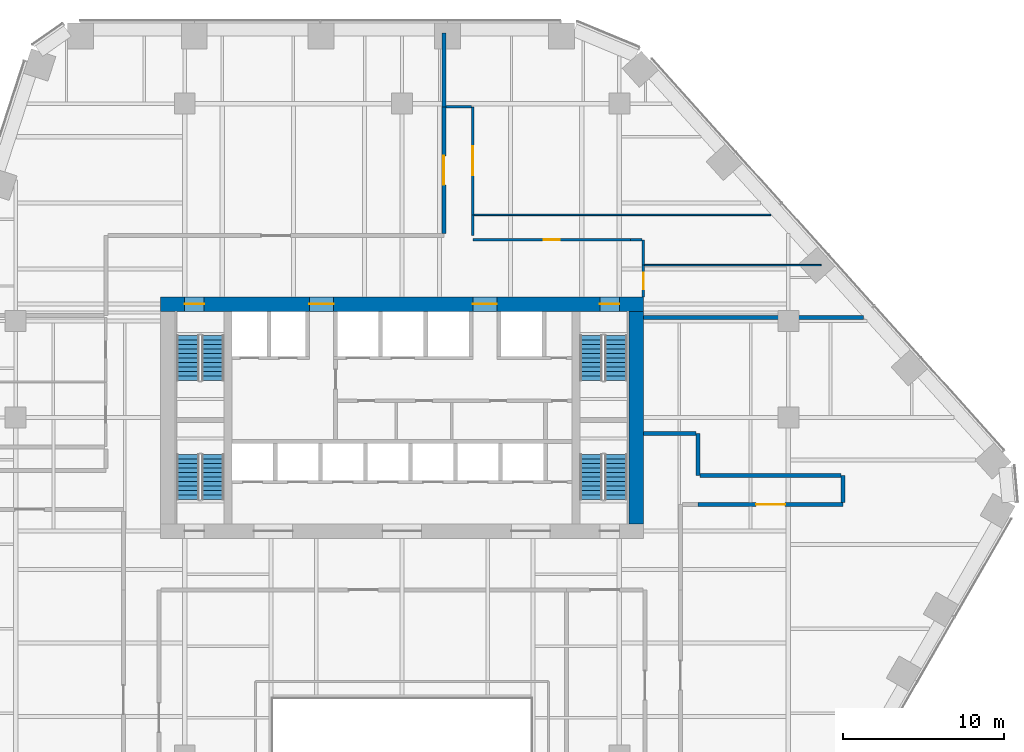
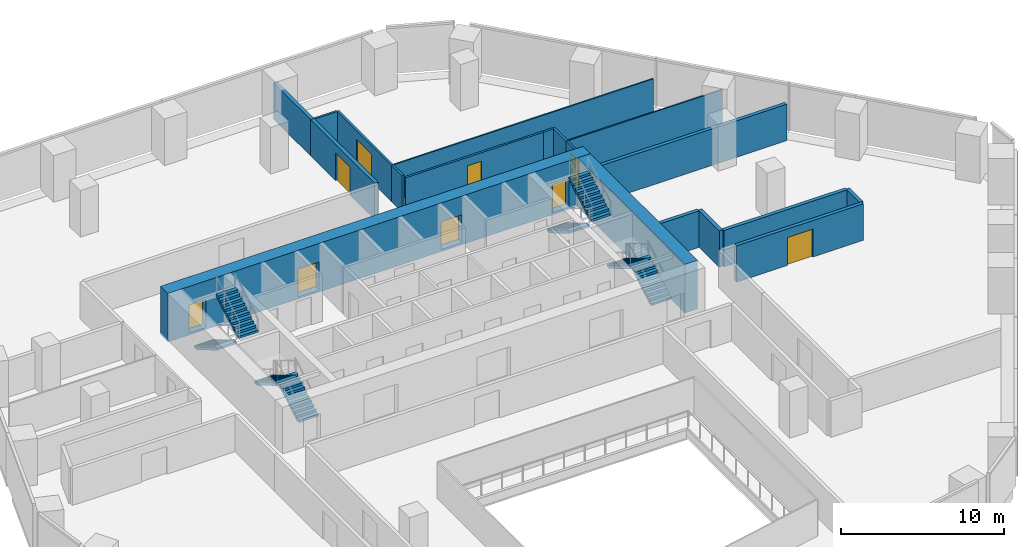
# One storey, part 16 of 19: 19 walls, 9 doors, 8 stair flights, 9 openings, 4 elements without a shape of their own.
"""IFC4 building model written with IfcOpenShell, lengths in metres."""

from ifc_helpers import new_model, si_unit, direction, frame, frame_2d, origin, place, context, subcontext, project, spatial, polyline, rectangle, outline, extrude, material, layer, layer_set, type_object, element, fill, aggregate, save


model = new_model("IFC4")

# Units and contexts
model_context = context("Model", 3, precision=1e-05, world=origin(), true_north=direction((0.0, 1.0)))
body_context = subcontext(model_context, "Body", "Model", "MODEL_VIEW")
ifc_project = project(units=[si_unit("LENGTHUNIT", "METRE"), si_unit("AREAUNIT", "SQUARE_METRE"), si_unit("VOLUMEUNIT", "CUBIC_METRE"), si_unit("PLANEANGLEUNIT", "RADIAN"), si_unit("MASSUNIT", "GRAM", prefix="KILO")], contexts=[model_context])

# Site, building, storey
site_placement = place(None, origin())
site = spatial("IfcSite", under=ifc_project, at=site_placement, CompositionType="ELEMENT")
building_placement = place(site_placement, origin())
building = spatial("IfcBuilding", under=site, at=building_placement, Name="Isthmus Gate Tower", CompositionType="ELEMENT")
storey_placement = place(building_placement, frame((0.0, 0.0, 87.949951171875)))
storey = spatial("IfcBuildingStorey", under=building, at=storey_placement, Name="L20", CompositionType="ELEMENT", Elevation=87.949951171875)

# Wall
ifc_material_1 = material(Name="Double-leaf acoustic stud wall, fire-rated", Category="gypsum")
ifc_layer_1 = layer(ifc_material_1, 0.25)
ifc_layer_set_1 = layer_set([ifc_layer_1], Name="ACOUSTIC WALL 250 60 MIN")
wall_type_1 = type_object("IfcWallType", Name="ACOUSTIC WALL 250 60 MIN", PredefinedType="PARTITIONING", material=ifc_layer_set_1)
wall_1_placement = place(storey_placement, frame((18.39990234375, 6.5, 0.0), z_axis=(0.0, 0.0, 1.0), x_axis=(0.0, -1.0, 0.0)))
element("IfcWall", 1, at=wall_1_placement, inside=storey, type_object=wall_type_1, Name="L20 Acoustic Wall 250 60 Min", PredefinedType="PARTITIONING", context=body_context, shape_type="SweptSolid", body=[
    extrude(rectangle(XDim=2.60009765625, YDim=0.25, at=frame_2d((1.300048828125, 0.0))), origin(), (0.0, 0.0, 1.0), 2.7412109375),
])

# Wall, opening, door
wall_2_placement = place(storey_placement, frame((27.39990234375, 2.10009765625, 0.0), z_axis=(0.0, 0.0, 1.0), x_axis=(-1.0, 0.0, 0.0)))
wall_2 = element("IfcWall", 2, at=wall_2_placement, inside=storey, type_object=wall_type_1, Name="L20 Acoustic Wall 250 60 Min", PredefinedType="PARTITIONING", context=body_context, shape_type="SweptSolid", body=[
    extrude(rectangle(XDim=8.997802734375, YDim=0.25, at=frame_2d((4.4990234375, 0.0))), origin(), (0.0, 0.0, 1.0), 2.7412109375),
])
opening_1_placement = place(wall_2_placement, frame((3.59912109375, 0.0, 0.0)))
opening_1 = element("IfcOpeningElement", 3, at=opening_1_placement, cuts=wall_2, Name="Opening DT-T2A-09", PredefinedType="OPENING", context=body_context, shape_type="SweptSolid", body=[
    extrude(rectangle(XDim=1.800048828125, YDim=2.10009765625, at=frame_2d((0.89990234375, 1.050048828125))), frame((0.0, 0.135009765625, 0.0), z_axis=(0.0, -1.0, 0.0), x_axis=(1.0, 0.0, 0.0)), (0.0, 0.0, 1.0), 0.27001953125),
])
ifc_material_2 = material(Name="Solid core timber door leaf, fire-rated", Category="wood")
door_type_1 = type_object("IfcDoorType", Name="FIRE DOOR ACOUSTIC ROOM 1800 X 2100 60 MIN", OperationType="DOUBLE_DOOR_DOUBLE_SWING", PredefinedType="DOOR", material=ifc_material_2)
door_1_placement = place(opening_1_placement, origin())
door_1 = element("IfcDoor", 4, at=door_1_placement, inside=storey, type_object=door_type_1, Name="L20 room door", OperationType="DOUBLE_DOOR_DOUBLE_SWING", OverallHeight=2.10009765625, OverallWidth=1.800048828125, PredefinedType="DOOR", context=body_context, shape_type="SweptSolid", body=[
    extrude(rectangle(XDim=1.800048828125, YDim=2.10009765625, at=frame_2d((0.89990234375, 1.050048828125))), frame((0.0, 0.02490234375, 0.0), z_axis=(0.0, -1.0, 0.0), x_axis=(1.0, 0.0, 0.0)), (0.0, 0.0, 1.0), 0.050048828125),
])
fill(opening_1, door_1)

# Wall
wall_3_placement = place(storey_placement, frame((27.39990234375, 3.89990234375, 0.0), z_axis=(0.0, 0.0, 1.0), x_axis=(0.0, -1.0, 0.0)))
element("IfcWall", 5, at=wall_3_placement, inside=storey, type_object=wall_type_1, Name="L20 Acoustic Wall 250 60 Min", PredefinedType="PARTITIONING", context=body_context, shape_type="SweptSolid", body=[
    extrude(rectangle(XDim=1.6748046875, YDim=0.25, at=frame_2d((0.83740234375, 0.0))), origin(), (0.0, 0.0, 1.0), 2.7412109375),
])

# Wall, opening, door
wall_4_placement = place(storey_placement, frame((2.60009765625, 18.925048828125, 0.0), z_axis=(0.0, 0.0, 1.0), x_axis=(0.0, 1.0, 0.0)))
wall_4 = element("IfcWall", 6, at=wall_4_placement, inside=storey, type_object=wall_type_1, Name="L20 Acoustic Wall 250 60 Min", PredefinedType="PARTITIONING", context=body_context, shape_type="SweptSolid", body=[
    extrude(rectangle(XDim=7.875, YDim=0.25, at=frame_2d((3.9375, 0.0))), origin(), (0.0, 0.0, 1.0), 2.7412109375),
])
opening_2_placement = place(wall_4_placement, frame((3.03759765625, 0.0, 0.0)))
opening_2 = element("IfcOpeningElement", 7, at=opening_2_placement, cuts=wall_4, Name="Opening DT-T2A-02", PredefinedType="OPENING", context=body_context, shape_type="SweptSolid", body=[
    extrude(rectangle(XDim=1.800048828125, YDim=2.10009765625, at=frame_2d((0.89990234375, 1.050048828125))), frame((0.0, 0.135009765625, 0.0), z_axis=(0.0, -1.0, 0.0), x_axis=(1.0, 0.0, 0.0)), (0.0, 0.0, 1.0), 0.27001953125),
])
door_2_placement = place(opening_2_placement, origin())
door_2 = element("IfcDoor", 8, at=door_2_placement, inside=storey, type_object=door_type_1, Name="L20 room door", OperationType="DOUBLE_DOOR_DOUBLE_SWING", OverallHeight=2.10009765625, OverallWidth=1.800048828125, PredefinedType="DOOR", context=body_context, shape_type="SweptSolid", body=[
    extrude(rectangle(XDim=1.800048828125, YDim=2.10009765625, at=frame_2d((0.89990234375, 1.050048828125))), frame((0.0, 0.02490234375, 0.0), z_axis=(0.0, -1.0, 0.0), x_axis=(1.0, 0.0, 0.0)), (0.0, 0.0, 1.0), 0.050048828125),
])
fill(opening_2, door_2)

# Walls
wall_5_placement = place(storey_placement, frame((2.597900390625, 26.800048828125, 0.0), z_axis=(0.0, 0.0, 1.0), x_axis=(0.0, 1.0, 0.0)))
element("IfcWall", 9, at=wall_5_placement, inside=storey, type_object=wall_type_1, Name="L20 Acoustic Wall 250 60 Min", PredefinedType="PARTITIONING", context=body_context, shape_type="SweptSolid", body=[
    extrude(rectangle(XDim=4.599853515625, YDim=0.25, at=frame_2d((2.2998046875, 0.0))), origin(), (0.0, 0.0, 1.0), 2.7412109375),
])
wall_6_placement = place(storey_placement, frame((15.0, 13.708984375, 0.0), z_axis=(0.0, 0.0, 1.0), x_axis=(1.0, 0.0, 0.0)))
element("IfcWall", 10, at=wall_6_placement, inside=storey, type_object=wall_type_1, Name="L20 Acoustic Wall 250 60 Min", PredefinedType="PARTITIONING", context=body_context, shape_type="SweptSolid", body=[
    extrude(rectangle(XDim=13.66796875, YDim=0.25, at=frame_2d((6.833984375, 0.0))), origin(), (0.0, 0.0, 1.0), 2.7412109375),
])
wall_7_placement = place(storey_placement, frame((15.0, 6.5, 0.0), z_axis=(0.0, 0.0, 1.0), x_axis=(1.0, 0.0, 0.0)))
element("IfcWall", 11, at=wall_7_placement, inside=storey, type_object=wall_type_1, Name="L20 Acoustic Wall 250 60 Min", PredefinedType="PARTITIONING", context=body_context, shape_type="SweptSolid", body=[
    extrude(rectangle(XDim=3.27490234375, YDim=0.25, at=frame_2d((1.637451171875, 0.0))), origin(), (0.0, 0.0, 1.0), 2.7412109375),
])
wall_8_placement = place(storey_placement, frame((18.52490234375, 3.89990234375, 0.0), z_axis=(0.0, 0.0, 1.0), x_axis=(1.0, 0.0, 0.0)))
element("IfcWall", 12, at=wall_8_placement, inside=storey, type_object=wall_type_1, Name="L20 Acoustic Wall 250 60 Min", PredefinedType="PARTITIONING", context=body_context, shape_type="SweptSolid", body=[
    extrude(rectangle(XDim=8.75, YDim=0.25, at=frame_2d((4.375, 0.0))), origin(), (0.0, 0.0, 1.0), 2.7412109375),
])

# Wall, opening, door
ifc_material_3 = material(Name="Gypsum board on steel studs, fire-rated", Category="steel")
ifc_layer_2 = layer(ifc_material_3, 0.14990234375)
ifc_layer_set_2 = layer_set([ifc_layer_2], Name="CORRIDOR WALL 150 60 MIN")
wall_type_2 = type_object("IfcWallType", Name="CORRIDOR WALL 150 60 MIN", PredefinedType="PARTITIONING", material=ifc_layer_set_2)
wall_9_placement = place(storey_placement, frame((4.39990234375, 26.800048828125, 0.0), z_axis=(0.0, 0.0, 1.0), x_axis=(0.0, -1.0, 0.0)))
wall_9 = element("IfcWall", 13, at=wall_9_placement, inside=storey, type_object=wall_type_2, Name="L20 Corridor Wall 150 60 Min", PredefinedType="PARTITIONING", context=body_context, shape_type="SweptSolid", body=[
    extrude(rectangle(XDim=6.7080078125, YDim=0.14990234375, at=frame_2d((3.35400390625, 0.0))), origin(), (0.0, 0.0, 1.0), 2.7412109375),
])
opening_3_placement = place(wall_9_placement, frame((2.4541015625, 0.0, 0.0)))
opening_3 = element("IfcOpeningElement", 14, at=opening_3_placement, cuts=wall_9, Name="Opening DT-T2A-03", PredefinedType="OPENING", context=body_context, shape_type="SweptSolid", body=[
    extrude(rectangle(XDim=1.800048828125, YDim=2.10009765625, at=frame_2d((0.89990234375, 1.050048828125))), frame((0.0, 0.0849609375, 0.0), z_axis=(0.0, -1.0, 0.0), x_axis=(1.0, 0.0, 0.0)), (0.0, 0.0, 1.0), 0.169921875),
])
ifc_material_4 = material(Name="Solid core timber door leaf, fire-rated", Category="wood")
door_type_2 = type_object("IfcDoorType", Name="FIRE DOOR ROOM 1800 X 2100 60 MIN", OperationType="DOUBLE_DOOR_DOUBLE_SWING", PredefinedType="DOOR", material=ifc_material_4)
door_3_placement = place(opening_3_placement, origin())
door_3 = element("IfcDoor", 15, at=door_3_placement, inside=storey, type_object=door_type_2, Name="L20 room door", OperationType="DOUBLE_DOOR_DOUBLE_SWING", OverallHeight=2.10009765625, OverallWidth=1.800048828125, PredefinedType="DOOR", context=body_context, shape_type="SweptSolid", body=[
    extrude(rectangle(XDim=1.800048828125, YDim=2.10009765625, at=frame_2d((0.89990234375, 1.050048828125))), frame((0.0, 0.02490234375, 0.0), z_axis=(0.0, -1.0, 0.0), x_axis=(1.0, 0.0, 0.0)), (0.0, 0.0, 1.0), 0.050048828125),
])
fill(opening_3, door_3)

# Walls
wall_10_placement = place(storey_placement, frame((4.39990234375, 20.092041015625, 0.0), z_axis=(0.0, 0.0, 1.0), x_axis=(0.0, -1.0, 0.0)))
element("IfcWall", 16, at=wall_10_placement, inside=storey, type_object=wall_type_2, Name="L20 Corridor Wall 150 60 Min", PredefinedType="PARTITIONING", context=body_context, shape_type="SweptSolid", body=[
    extrude(rectangle(XDim=1.2900390625, YDim=0.14990234375, at=frame_2d((0.64501953125, 0.0))), origin(), (0.0, 0.0, 1.0), 2.7412109375),
])
wall_11_placement = place(storey_placement, frame((15.0, 18.5400390625, 0.0), z_axis=(0.0, 0.0, 1.0), x_axis=(0.0, -1.0, 0.0)))
element("IfcWall", 17, at=wall_11_placement, inside=storey, type_object=wall_type_2, Name="L20 Corridor Wall 150 60 Min", PredefinedType="PARTITIONING", context=body_context, shape_type="SweptSolid", body=[
    extrude(rectangle(XDim=1.572998046875, YDim=0.14990234375, at=frame_2d((0.78662109375, 0.0))), origin(), (0.0, 0.0, 1.0), 2.7412109375),
])

# Wall, opening, door
wall_12_placement = place(storey_placement, frame((15.0, 16.967041015625, 0.0), z_axis=(0.0, 0.0, 1.0), x_axis=(0.0, -1.0, 0.0)))
wall_12 = element("IfcWall", 18, at=wall_12_placement, inside=storey, type_object=wall_type_2, Name="L20 Corridor Wall 150 60 Min", PredefinedType="PARTITIONING", context=body_context, shape_type="SweptSolid", body=[
    extrude(rectangle(XDim=1.967041015625, YDim=0.14990234375, at=frame_2d((0.9833984375, 0.0))), origin(), (0.0, 0.0, 1.0), 2.7412109375),
])
opening_4_placement = place(wall_12_placement, frame((0.4833984375, 0.0, 0.0)))
opening_4 = element("IfcOpeningElement", 19, at=opening_4_placement, cuts=wall_12, Name="Opening DT-T2A-05", PredefinedType="OPENING", context=body_context, shape_type="SweptSolid", body=[
    extrude(rectangle(XDim=1.0, YDim=2.10009765625, at=frame_2d((0.5, 1.050048828125))), frame((0.0, 0.0849609375, 0.0), z_axis=(0.0, -1.0, 0.0), x_axis=(1.0, 0.0, 0.0)), (0.0, 0.0, 1.0), 0.169921875),
])
ifc_material_5 = material(Name="Solid core timber door leaf, fire-rated", Category="wood")
door_type_3 = type_object("IfcDoorType", Name="FIRE DOOR ROOM 1000 X 2100 60 MIN", OperationType="SINGLE_SWING_LEFT", PredefinedType="DOOR", material=ifc_material_5)
door_4_placement = place(opening_4_placement, origin())
door_4 = element("IfcDoor", 20, at=door_4_placement, inside=storey, type_object=door_type_3, Name="L20 room door", OperationType="SINGLE_SWING_RIGHT", OverallHeight=2.10009765625, OverallWidth=1.0, PredefinedType="DOOR", context=body_context, shape_type="SweptSolid", body=[
    extrude(rectangle(XDim=1.0, YDim=2.10009765625, at=frame_2d((0.5, 1.050048828125))), frame((0.0, 0.02490234375, 0.0), z_axis=(0.0, -1.0, 0.0), x_axis=(1.0, 0.0, 0.0)), (0.0, 0.0, 1.0), 0.050048828125),
])
fill(opening_4, door_4)

# Wall
wall_13_placement = place(storey_placement, frame((2.72509765625, 26.800048828125, 0.0), z_axis=(0.0, 0.0, 1.0), x_axis=(1.0, 0.0, 0.0)))
element("IfcWall", 21, at=wall_13_placement, inside=storey, type_object=wall_type_2, Name="L20 Corridor Wall 150 60 Min", PredefinedType="PARTITIONING", context=body_context, shape_type="SweptSolid", body=[
    extrude(rectangle(XDim=1.599853515625, YDim=0.14990234375, at=frame_2d((0.7998046875, 0.0))), origin(), (0.0, 0.0, 1.0), 2.7412109375),
])

# Wall, opening, door
wall_14_placement = place(storey_placement, frame((14.199951171875, 18.5419921875, 0.0), z_axis=(0.0, 0.0, 1.0), x_axis=(-0.999999980148, -0.000199257761, 0.0)))
wall_14 = element("IfcWall", 22, at=wall_14_placement, inside=storey, type_object=wall_type_2, Name="L20 Corridor Wall 150 60 Min", PredefinedType="PARTITIONING", context=body_context, shape_type="SweptSolid", body=[
    extrude(rectangle(XDim=9.802001953125, YDim=0.14990234375, at=frame_2d((4.90087890625, 0.0))), origin(), (0.0, 0.0, 1.0), 2.7412109375),
])
opening_5_placement = place(wall_14_placement, frame((4.40087890625, 0.0, 0.0)))
opening_5 = element("IfcOpeningElement", 23, at=opening_5_placement, cuts=wall_14, Name="Opening DT-T2A-04", PredefinedType="OPENING", context=body_context, shape_type="SweptSolid", body=[
    extrude(rectangle(XDim=1.0, YDim=2.10009765625, at=frame_2d((0.5, 1.050048828125))), frame((0.0, 0.0849609375, 0.0), z_axis=(0.0, -1.0, 0.0), x_axis=(1.0, 0.0, 0.0)), (0.0, 0.0, 1.0), 0.169921875),
])
door_5_placement = place(opening_5_placement, origin())
door_5 = element("IfcDoor", 24, at=door_5_placement, inside=storey, type_object=door_type_3, Name="L20 room door", OperationType="SINGLE_SWING_RIGHT", OverallHeight=2.10009765625, OverallWidth=1.0, PredefinedType="DOOR", context=body_context, shape_type="SweptSolid", body=[
    extrude(rectangle(XDim=1.0, YDim=2.10009765625, at=frame_2d((0.5, 1.050048828125))), frame((0.0, 0.02490234375, 0.0), z_axis=(0.0, -1.0, 0.0), x_axis=(1.0, 0.0, 0.0)), (0.0, 0.0, 1.0), 0.050048828125),
])
fill(opening_5, door_5)

# Wall
wall_15_placement = place(storey_placement, frame((14.199951171875, 18.5400390625, 0.0), z_axis=(0.0, 0.0, 1.0), x_axis=(1.0, 0.0, 0.0)))
element("IfcWall", 25, at=wall_15_placement, inside=storey, type_object=wall_type_2, Name="L20 Corridor Wall 150 60 Min", PredefinedType="PARTITIONING", context=body_context, shape_type="SweptSolid", body=[
    extrude(rectangle(XDim=0.72509765625, YDim=0.14990234375, at=frame_2d((0.362548828125, 0.0))), origin(), (0.0, 0.0, 1.0), 2.7412109375),
])

# Wall, openings, doors
ifc_material_6 = material(Name="Concrete f'c 70 MPa", Category="concrete")
ifc_layer_3 = layer(ifc_material_6, 0.89990234375)
ifc_layer_set_3 = layer_set([ifc_layer_3], Name="RC CORE WALL 900 F'C 70")
wall_type_3 = type_object("IfcWallType", Name="RC CORE WALL 900 F'C 70", PredefinedType="SOLIDWALL", material=ifc_layer_set_3)
wall_16_placement = place(storey_placement, frame((-15.0, 14.550048828125, -0.14990234375), z_axis=(0.0, 0.0, 1.0), x_axis=(1.0, 0.0, 0.0)))
wall_16 = element("IfcWall", 26, at=wall_16_placement, inside=storey, type_object=wall_type_3, Name="str-corewall-L20-N", PredefinedType="SOLIDWALL", context=body_context, shape_type="SweptSolid", body=[
    extrude(rectangle(XDim=30.0, YDim=0.89990234375, at=frame_2d((15.0, 0.0))), origin(), (0.0, 0.0, 1.0), 3.64990234375),
])
opening_6_placement = place(wall_16_placement, frame((9.25, 0.0, 0.14990234375)))
opening_6 = element("IfcOpeningElement", 27, at=opening_6_placement, cuts=wall_16, Name="Opening DC-A05-11", PredefinedType="OPENING", context=body_context, shape_type="SweptSolid", body=[
    extrude(rectangle(XDim=1.5, YDim=2.10009765625, at=frame_2d((0.75, 1.050048828125))), frame((0.0, 0.4599609375, 0.0), z_axis=(0.0, -1.0, 0.0), x_axis=(1.0, 0.0, 0.0)), (0.0, 0.0, 1.0), 0.919921875),
])
opening_7_placement = place(wall_16_placement, frame((19.39990234375, 0.0, 0.14990234375)))
opening_7 = element("IfcOpeningElement", 28, at=opening_7_placement, cuts=wall_16, Name="Opening DC-A05-12", PredefinedType="OPENING", context=body_context, shape_type="SweptSolid", body=[
    extrude(rectangle(XDim=1.5, YDim=2.10009765625, at=frame_2d((0.75, 1.050048828125))), frame((0.0, 0.4599609375, 0.0), z_axis=(0.0, -1.0, 0.0), x_axis=(1.0, 0.0, 0.0)), (0.0, 0.0, 1.0), 0.919921875),
])
opening_8_placement = place(wall_16_placement, frame((1.5, 0.0, 0.14990234375)))
opening_8 = element("IfcOpeningElement", 29, at=opening_8_placement, cuts=wall_16, Name="Opening DC-A05-13", PredefinedType="OPENING", context=body_context, shape_type="SweptSolid", body=[
    extrude(rectangle(XDim=1.199951171875, YDim=2.10009765625, at=frame_2d((0.60009765625, 1.050048828125))), frame((0.0, 0.4599609375, 0.0), z_axis=(0.0, -1.0, 0.0), x_axis=(1.0, 0.0, 0.0)), (0.0, 0.0, 1.0), 0.919921875),
])
opening_9_placement = place(wall_16_placement, frame((27.300048828125, 0.0, 0.14990234375)))
opening_9 = element("IfcOpeningElement", 30, at=opening_9_placement, cuts=wall_16, Name="Opening DC-A05-14", PredefinedType="OPENING", context=body_context, shape_type="SweptSolid", body=[
    extrude(rectangle(XDim=1.199951171875, YDim=2.10009765625, at=frame_2d((0.60009765625, 1.050048828125))), frame((0.0, 0.4599609375, 0.0), z_axis=(0.0, -1.0, 0.0), x_axis=(1.0, 0.0, 0.0)), (0.0, 0.0, 1.0), 0.919921875),
])
ifc_material_7 = material(Name="Steel door leaf, fire-rated", Category="steel")
door_type_4 = type_object("IfcDoorType", Name="LOBBY FIRE DOOR 1500 X 2100 60 MIN", OperationType="DOUBLE_DOOR_SINGLE_SWING", PredefinedType="DOOR", material=ifc_material_7)
door_6_placement = place(opening_7_placement, origin())
door_6 = element("IfcDoor", 31, at=door_6_placement, inside=storey, type_object=door_type_4, Name="Lobby Door PN-E", OperationType="DOUBLE_DOOR_SINGLE_SWING", OverallHeight=2.10009765625, OverallWidth=1.5, PredefinedType="DOOR", context=body_context, shape_type="SweptSolid", body=[
    extrude(rectangle(XDim=1.5, YDim=2.10009765625, at=frame_2d((0.75, 1.050048828125))), frame((0.0, 0.02490234375, 0.0), z_axis=(0.0, -1.0, 0.0), x_axis=(1.0, 0.0, 0.0)), (0.0, 0.0, 1.0), 0.050048828125),
])
fill(opening_7, door_6)
ifc_material_8 = material(Name="Steel door leaf, fire-rated", Category="steel")
door_type_5 = type_object("IfcDoorType", Name="LOBBY FIRE DOOR 1500 X 2100 90 MIN", OperationType="DOUBLE_DOOR_SINGLE_SWING", PredefinedType="DOOR", material=ifc_material_8)
door_7_placement = place(opening_6_placement, origin())
door_7 = element("IfcDoor", 32, at=door_7_placement, inside=storey, type_object=door_type_5, Name="Lobby Door PN-W", OperationType="DOUBLE_DOOR_SINGLE_SWING", OverallHeight=2.10009765625, OverallWidth=1.5, PredefinedType="DOOR", context=body_context, shape_type="SweptSolid", body=[
    extrude(rectangle(XDim=1.5, YDim=2.10009765625, at=frame_2d((0.75, 1.050048828125))), frame((0.0, 0.02490234375, 0.0), z_axis=(0.0, -1.0, 0.0), x_axis=(1.0, 0.0, 0.0)), (0.0, 0.0, 1.0), 0.050048828125),
])
fill(opening_6, door_7)
ifc_material_9 = material(Name="Steel door leaf, fire-rated", Category="steel")
door_type_6 = type_object("IfcDoorType", Name="STAIR FIRE DOOR 1200 X 2100 90 MIN", OperationType="SINGLE_SWING_LEFT", PredefinedType="DOOR", material=ifc_material_9)
door_8_placement = place(opening_8_placement, origin())
door_8 = element("IfcDoor", 33, at=door_8_placement, inside=storey, type_object=door_type_6, Name="Exit Stair 1 Door", OperationType="SINGLE_SWING_RIGHT", OverallHeight=2.10009765625, OverallWidth=1.199951171875, PredefinedType="DOOR", context=body_context, shape_type="SweptSolid", body=[
    extrude(rectangle(XDim=1.199951171875, YDim=2.10009765625, at=frame_2d((0.60009765625, 1.050048828125))), frame((0.0, 0.02490234375, 0.0), z_axis=(0.0, -1.0, 0.0), x_axis=(1.0, 0.0, 0.0)), (0.0, 0.0, 1.0), 0.050048828125),
])
fill(opening_8, door_8)
door_9_placement = place(opening_9_placement, origin())
door_9 = element("IfcDoor", 34, at=door_9_placement, inside=storey, type_object=door_type_6, Name="Exit Stair 2 Door", OperationType="SINGLE_SWING_LEFT", OverallHeight=2.10009765625, OverallWidth=1.199951171875, PredefinedType="DOOR", context=body_context, shape_type="SweptSolid", body=[
    extrude(rectangle(XDim=1.199951171875, YDim=2.10009765625, at=frame_2d((0.60009765625, 1.050048828125))), frame((0.0, 0.02490234375, 0.0), z_axis=(0.0, -1.0, 0.0), x_axis=(1.0, 0.0, 0.0)), (0.0, 0.0, 1.0), 0.050048828125),
])
fill(opening_9, door_9)

# Walls
wall_17_placement = place(storey_placement, frame((14.550048828125, 0.89990234375, -0.14990234375), z_axis=(0.0, 0.0, 1.0), x_axis=(0.0, 1.0, 0.0)))
element("IfcWall", 35, at=wall_17_placement, inside=storey, type_object=wall_type_3, Name="str-corewall-L20-E", PredefinedType="SOLIDWALL", context=body_context, shape_type="SweptSolid", body=[
    extrude(rectangle(XDim=13.2001953125, YDim=0.89990234375, at=frame_2d((6.60009765625, 0.0))), origin(), (0.0, 0.0, 1.0), 3.64990234375),
])
ifc_material_10 = material(Name="Gypsum board on steel studs, fire-rated", Category="steel")
ifc_layer_4 = layer(ifc_material_10, 0.10009765625)
ifc_layer_set_4 = layer_set([ifc_layer_4], Name="ROOM PARTITION 100 30 MIN")
wall_type_4 = type_object("IfcWallType", Name="ROOM PARTITION 100 30 MIN", PredefinedType="PARTITIONING", material=ifc_layer_set_4)
wall_18_placement = place(storey_placement, frame((4.47509765625, 20.092041015625, 0.0), z_axis=(0.0, 0.0, 1.0), x_axis=(1.0, 0.0, 0.0)))
element("IfcWall", 36, at=wall_18_placement, inside=storey, type_object=wall_type_4, Name="L20 Room Partition 100 30 Min", PredefinedType="PARTITIONING", context=body_context, shape_type="SweptSolid", body=[
    extrude(rectangle(XDim=18.44580078125, YDim=0.10009765625, at=frame_2d((9.222900390625, 0.0))), origin(), (0.0, 0.0, 1.0), 2.7412109375),
])
wall_19_placement = place(storey_placement, frame((15.074951171875, 16.967041015625, 0.0), z_axis=(0.0, 0.0, 1.0), x_axis=(1.0, 0.0, 0.0)))
element("IfcWall", 37, at=wall_19_placement, inside=storey, type_object=wall_type_4, Name="L20 Room Partition 100 30 Min", PredefinedType="PARTITIONING", context=body_context, shape_type="SweptSolid", body=[
    extrude(rectangle(XDim=10.9599609375, YDim=0.10009765625, at=frame_2d((5.47998046875, 0.0))), origin(), (0.0, 0.0, 1.0), 2.7412109375),
])

# Stair, stair flights
ifc_material_11 = material(Name="Concrete f'c 40 MPa", Category="concrete")
stair_type = type_object("IfcStairType", Name="CORE STAIR 22 RISERS", PredefinedType="HALF_TURN_STAIR", material=ifc_material_11)
stair_1_placement = place(storey_placement, origin())
stair_1 = element("IfcStair", 38, at=stair_1_placement, inside=storey, type_object=stair_type, Name="L20 Exit Stair 1", PredefinedType="HALF_TURN_STAIR")
ifc_material_12 = material(Name="Concrete f'c 40 MPa", Category="concrete")
stair_flight_type = type_object("IfcStairFlightType", Name="STAIR FLIGHT RC 1400", PredefinedType="STRAIGHT", material=ifc_material_12)
stair_flight_1_placement = place(storey_placement, frame((-13.300048828125, 12.60009765625, 0.0), z_axis=(0.0, 0.0, 1.0), x_axis=(0.0, -1.0, 0.0)))
stair_flight_1 = element("IfcStairFlight", 39, at=stair_flight_1_placement, type_object=stair_flight_type, Name="ST1 flight 1", NumberOfRisers=11, NumberOfTreads=10, PredefinedType="STRAIGHT", RiserHeight=0.165909091, TreadLength=0.28, context=body_context, shape_type="SweptSolid", body=[
    extrude(outline(polyline([(0.0, 0.0), (0.0, 0.166015625), (0.280029296875, 0.166015625), (0.280029296875, 0.331787109375), (0.56005859375, 0.331787109375), (0.56005859375, 0.497802734375), (0.840087890625, 0.497802734375), (0.840087890625, 0.66357421875), (1.1201171875, 0.66357421875), (1.1201171875, 0.82958984375), (1.39990234375, 0.82958984375), (1.39990234375, 0.995361328125), (1.679931640625, 0.995361328125), (1.679931640625, 1.161376953125), (1.9599609375, 1.161376953125), (1.9599609375, 1.327392578125), (2.239990234375, 1.327392578125), (2.239990234375, 1.4931640625), (2.52001953125, 1.4931640625), (2.52001953125, 1.6591796875), (2.800048828125, 1.6591796875), (2.800048828125, 1.824951171875), (2.800048828125, 1.48486328125), (0.2939453125, 0.0), (0.0, 0.0)])), frame((0.0, 0.699951171875, 0.0), z_axis=(0.0, -1.0, 0.0), x_axis=(1.0, 0.0, 0.0)), (0.0, 0.0, 1.0), 1.39990234375),
])
stair_flight_2_placement = place(storey_placement, frame((-11.75, 9.800048828125, 1.824951171875), z_axis=(0.0, 0.0, 1.0), x_axis=(0.0, 1.0, 0.0)))
stair_flight_2 = element("IfcStairFlight", 40, at=stair_flight_2_placement, type_object=stair_flight_type, Name="ST1 flight 2", NumberOfRisers=11, NumberOfTreads=10, PredefinedType="STRAIGHT", RiserHeight=0.165909091, TreadLength=0.28, context=body_context, shape_type="SweptSolid", body=[
    extrude(outline(polyline([(0.0, 0.0), (0.0, 0.166015625), (0.280029296875, 0.166015625), (0.280029296875, 0.331787109375), (0.56005859375, 0.331787109375), (0.56005859375, 0.497802734375), (0.840087890625, 0.497802734375), (0.840087890625, 0.66357421875), (1.1201171875, 0.66357421875), (1.1201171875, 0.82958984375), (1.39990234375, 0.82958984375), (1.39990234375, 0.995361328125), (1.679931640625, 0.995361328125), (1.679931640625, 1.161376953125), (1.9599609375, 1.161376953125), (1.9599609375, 1.327392578125), (2.239990234375, 1.327392578125), (2.239990234375, 1.4931640625), (2.52001953125, 1.4931640625), (2.52001953125, 1.6591796875), (2.800048828125, 1.6591796875), (2.800048828125, 1.824951171875), (2.800048828125, 1.48486328125), (0.2939453125, 0.0), (0.0, 0.0)])), frame((0.0, 0.699951171875, 0.0), z_axis=(0.0, -1.0, 0.0), x_axis=(1.0, 0.0, 0.0)), (0.0, 0.0, 1.0), 1.39990234375),
])
aggregate(stair_1, [stair_flight_1, stair_flight_2])

stair_2_placement = place(storey_placement, origin())
stair_2 = element("IfcStair", 41, at=stair_2_placement, inside=storey, type_object=stair_type, Name="L20 Exit Stair 2", PredefinedType="HALF_TURN_STAIR")
stair_flight_3_placement = place(storey_placement, frame((11.75, 12.60009765625, 0.0), z_axis=(0.0, 0.0, 1.0), x_axis=(0.0, -1.0, 0.0)))
stair_flight_3 = element("IfcStairFlight", 42, at=stair_flight_3_placement, type_object=stair_flight_type, Name="ST2 flight 1", NumberOfRisers=11, NumberOfTreads=10, PredefinedType="STRAIGHT", RiserHeight=0.165909091, TreadLength=0.28, context=body_context, shape_type="SweptSolid", body=[
    extrude(outline(polyline([(0.0, 0.0), (0.0, 0.166015625), (0.280029296875, 0.166015625), (0.280029296875, 0.331787109375), (0.56005859375, 0.331787109375), (0.56005859375, 0.497802734375), (0.840087890625, 0.497802734375), (0.840087890625, 0.66357421875), (1.1201171875, 0.66357421875), (1.1201171875, 0.82958984375), (1.39990234375, 0.82958984375), (1.39990234375, 0.995361328125), (1.679931640625, 0.995361328125), (1.679931640625, 1.161376953125), (1.9599609375, 1.161376953125), (1.9599609375, 1.327392578125), (2.239990234375, 1.327392578125), (2.239990234375, 1.4931640625), (2.52001953125, 1.4931640625), (2.52001953125, 1.6591796875), (2.800048828125, 1.6591796875), (2.800048828125, 1.824951171875), (2.800048828125, 1.48486328125), (0.2939453125, 0.0), (0.0, 0.0)])), frame((0.0, 0.699951171875, 0.0), z_axis=(0.0, -1.0, 0.0), x_axis=(1.0, 0.0, 0.0)), (0.0, 0.0, 1.0), 1.39990234375),
])
stair_flight_4_placement = place(storey_placement, frame((13.300048828125, 9.800048828125, 1.824951171875), z_axis=(0.0, 0.0, 1.0), x_axis=(0.0, 1.0, 0.0)))
stair_flight_4 = element("IfcStairFlight", 43, at=stair_flight_4_placement, type_object=stair_flight_type, Name="ST2 flight 2", NumberOfRisers=11, NumberOfTreads=10, PredefinedType="STRAIGHT", RiserHeight=0.165909091, TreadLength=0.28, context=body_context, shape_type="SweptSolid", body=[
    extrude(outline(polyline([(0.0, 0.0), (0.0, 0.166015625), (0.280029296875, 0.166015625), (0.280029296875, 0.331787109375), (0.56005859375, 0.331787109375), (0.56005859375, 0.497802734375), (0.840087890625, 0.497802734375), (0.840087890625, 0.66357421875), (1.1201171875, 0.66357421875), (1.1201171875, 0.82958984375), (1.39990234375, 0.82958984375), (1.39990234375, 0.995361328125), (1.679931640625, 0.995361328125), (1.679931640625, 1.161376953125), (1.9599609375, 1.161376953125), (1.9599609375, 1.327392578125), (2.239990234375, 1.327392578125), (2.239990234375, 1.4931640625), (2.52001953125, 1.4931640625), (2.52001953125, 1.6591796875), (2.800048828125, 1.6591796875), (2.800048828125, 1.824951171875), (2.800048828125, 1.48486328125), (0.2939453125, 0.0), (0.0, 0.0)])), frame((0.0, 0.699951171875, 0.0), z_axis=(0.0, -1.0, 0.0), x_axis=(1.0, 0.0, 0.0)), (0.0, 0.0, 1.0), 1.39990234375),
])
aggregate(stair_2, [stair_flight_3, stair_flight_4])

stair_3_placement = place(storey_placement, origin())
stair_3 = element("IfcStair", 44, at=stair_3_placement, inside=storey, type_object=stair_type, Name="L20 Exit Stair 7", PredefinedType="HALF_TURN_STAIR")
stair_flight_5_placement = place(storey_placement, frame((-11.75, 2.39990234375, 0.0), z_axis=(0.0, 0.0, 1.0), x_axis=(0.0, 1.0, 0.0)))
stair_flight_5 = element("IfcStairFlight", 45, at=stair_flight_5_placement, type_object=stair_flight_type, Name="ST7 flight 1", NumberOfRisers=11, NumberOfTreads=10, PredefinedType="STRAIGHT", RiserHeight=0.165909091, TreadLength=0.28, context=body_context, shape_type="SweptSolid", body=[
    extrude(outline(polyline([(0.0, 0.0), (0.0, 0.166015625), (0.280029296875, 0.166015625), (0.280029296875, 0.331787109375), (0.56005859375, 0.331787109375), (0.56005859375, 0.497802734375), (0.840087890625, 0.497802734375), (0.840087890625, 0.66357421875), (1.1201171875, 0.66357421875), (1.1201171875, 0.82958984375), (1.39990234375, 0.82958984375), (1.39990234375, 0.995361328125), (1.679931640625, 0.995361328125), (1.679931640625, 1.161376953125), (1.9599609375, 1.161376953125), (1.9599609375, 1.327392578125), (2.239990234375, 1.327392578125), (2.239990234375, 1.4931640625), (2.52001953125, 1.4931640625), (2.52001953125, 1.6591796875), (2.800048828125, 1.6591796875), (2.800048828125, 1.824951171875), (2.800048828125, 1.48486328125), (0.2939453125, 0.0), (0.0, 0.0)])), frame((0.0, 0.699951171875, 0.0), z_axis=(0.0, -1.0, 0.0), x_axis=(1.0, 0.0, 0.0)), (0.0, 0.0, 1.0), 1.39990234375),
])
stair_flight_6_placement = place(storey_placement, frame((-13.300048828125, 5.199951171875, 1.824951171875), z_axis=(0.0, 0.0, 1.0), x_axis=(0.0, -1.0, 0.0)))
stair_flight_6 = element("IfcStairFlight", 46, at=stair_flight_6_placement, type_object=stair_flight_type, Name="ST7 flight 2", NumberOfRisers=11, NumberOfTreads=10, PredefinedType="STRAIGHT", RiserHeight=0.165909091, TreadLength=0.28, context=body_context, shape_type="SweptSolid", body=[
    extrude(outline(polyline([(0.0, 0.0), (0.0, 0.166015625), (0.280029296875, 0.166015625), (0.280029296875, 0.331787109375), (0.56005859375, 0.331787109375), (0.56005859375, 0.497802734375), (0.840087890625, 0.497802734375), (0.840087890625, 0.66357421875), (1.1201171875, 0.66357421875), (1.1201171875, 0.82958984375), (1.39990234375, 0.82958984375), (1.39990234375, 0.995361328125), (1.679931640625, 0.995361328125), (1.679931640625, 1.161376953125), (1.9599609375, 1.161376953125), (1.9599609375, 1.327392578125), (2.239990234375, 1.327392578125), (2.239990234375, 1.4931640625), (2.52001953125, 1.4931640625), (2.52001953125, 1.6591796875), (2.800048828125, 1.6591796875), (2.800048828125, 1.824951171875), (2.800048828125, 1.48486328125), (0.2939453125, 0.0), (0.0, 0.0)])), frame((0.0, 0.699951171875, 0.0), z_axis=(0.0, -1.0, 0.0), x_axis=(1.0, 0.0, 0.0)), (0.0, 0.0, 1.0), 1.39990234375),
])
aggregate(stair_3, [stair_flight_5, stair_flight_6])

stair_4_placement = place(storey_placement, origin())
stair_4 = element("IfcStair", 47, at=stair_4_placement, inside=storey, type_object=stair_type, Name="L20 Exit Stair 8", PredefinedType="HALF_TURN_STAIR")
stair_flight_7_placement = place(storey_placement, frame((13.300048828125, 2.39990234375, 0.0), z_axis=(0.0, 0.0, 1.0), x_axis=(0.0, 1.0, 0.0)))
stair_flight_7 = element("IfcStairFlight", 48, at=stair_flight_7_placement, type_object=stair_flight_type, Name="ST8 flight 1", NumberOfRisers=11, NumberOfTreads=10, PredefinedType="STRAIGHT", RiserHeight=0.165909091, TreadLength=0.28, context=body_context, shape_type="SweptSolid", body=[
    extrude(outline(polyline([(0.0, 0.0), (0.0, 0.166015625), (0.280029296875, 0.166015625), (0.280029296875, 0.331787109375), (0.56005859375, 0.331787109375), (0.56005859375, 0.497802734375), (0.840087890625, 0.497802734375), (0.840087890625, 0.66357421875), (1.1201171875, 0.66357421875), (1.1201171875, 0.82958984375), (1.39990234375, 0.82958984375), (1.39990234375, 0.995361328125), (1.679931640625, 0.995361328125), (1.679931640625, 1.161376953125), (1.9599609375, 1.161376953125), (1.9599609375, 1.327392578125), (2.239990234375, 1.327392578125), (2.239990234375, 1.4931640625), (2.52001953125, 1.4931640625), (2.52001953125, 1.6591796875), (2.800048828125, 1.6591796875), (2.800048828125, 1.824951171875), (2.800048828125, 1.48486328125), (0.2939453125, 0.0), (0.0, 0.0)])), frame((0.0, 0.699951171875, 0.0), z_axis=(0.0, -1.0, 0.0), x_axis=(1.0, 0.0, 0.0)), (0.0, 0.0, 1.0), 1.39990234375),
])
stair_flight_8_placement = place(storey_placement, frame((11.75, 5.199951171875, 1.824951171875), z_axis=(0.0, 0.0, 1.0), x_axis=(0.0, -1.0, 0.0)))
stair_flight_8 = element("IfcStairFlight", 49, at=stair_flight_8_placement, type_object=stair_flight_type, Name="ST8 flight 2", NumberOfRisers=11, NumberOfTreads=10, PredefinedType="STRAIGHT", RiserHeight=0.165909091, TreadLength=0.28, context=body_context, shape_type="SweptSolid", body=[
    extrude(outline(polyline([(0.0, 0.0), (0.0, 0.166015625), (0.280029296875, 0.166015625), (0.280029296875, 0.331787109375), (0.56005859375, 0.331787109375), (0.56005859375, 0.497802734375), (0.840087890625, 0.497802734375), (0.840087890625, 0.66357421875), (1.1201171875, 0.66357421875), (1.1201171875, 0.82958984375), (1.39990234375, 0.82958984375), (1.39990234375, 0.995361328125), (1.679931640625, 0.995361328125), (1.679931640625, 1.161376953125), (1.9599609375, 1.161376953125), (1.9599609375, 1.327392578125), (2.239990234375, 1.327392578125), (2.239990234375, 1.4931640625), (2.52001953125, 1.4931640625), (2.52001953125, 1.6591796875), (2.800048828125, 1.6591796875), (2.800048828125, 1.824951171875), (2.800048828125, 1.48486328125), (0.2939453125, 0.0), (0.0, 0.0)])), frame((0.0, 0.699951171875, 0.0), z_axis=(0.0, -1.0, 0.0), x_axis=(1.0, 0.0, 0.0)), (0.0, 0.0, 1.0), 1.39990234375),
])
aggregate(stair_4, [stair_flight_7, stair_flight_8])

save(model, "model.ifc")
